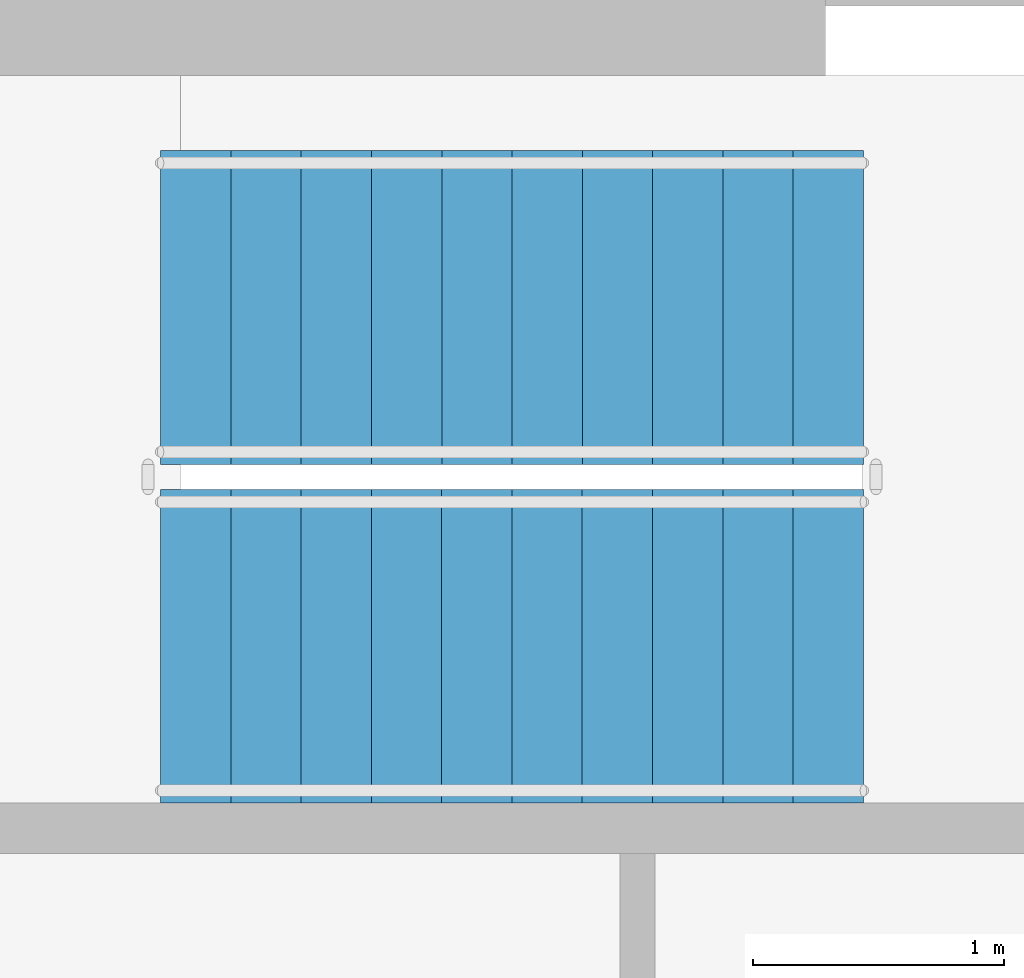
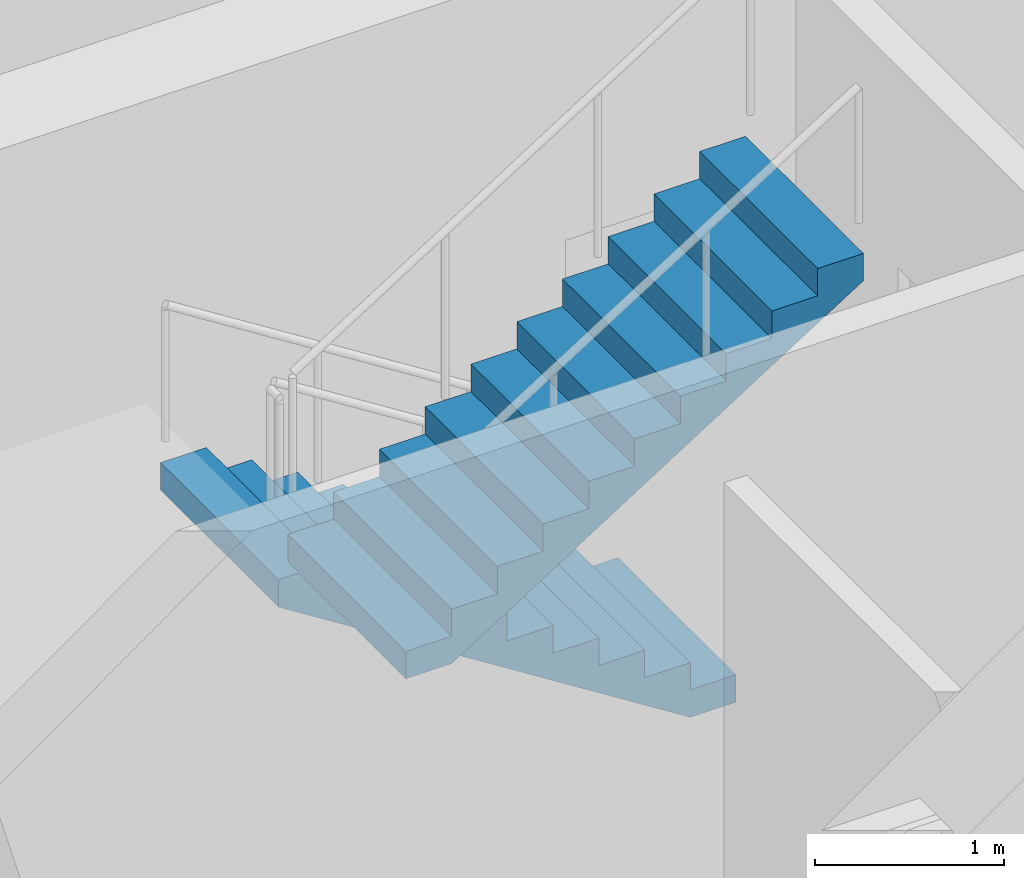
# One storey, part 12 of 14: 2 stair flights, 1 element without a shape of its own.
"""IFC4 building model written with IfcOpenShell, lengths in metres."""

from ifc_helpers import new_model, si_unit, direction, frame, origin, place, context, subcontext, project, spatial, line, indexed_curve, outline, extrude, material, type_object, element, aggregate, save


model = new_model("IFC4")

# Units and contexts
model_context = context("Model", 3, precision=1e-05, world=origin(), true_north=direction((0.0, 1.0)))
body_context = subcontext(model_context, "Body", "Model", "MODEL_VIEW")
ifc_project = project(units=[si_unit("LENGTHUNIT", "METRE"), si_unit("AREAUNIT", "SQUARE_METRE"), si_unit("VOLUMEUNIT", "CUBIC_METRE"), si_unit("PLANEANGLEUNIT", "RADIAN"), si_unit("MASSUNIT", "GRAM", prefix="KILO")], contexts=[model_context])

# Site, building, storey
site_placement = place(None, origin())
site = spatial("IfcSite", under=ifc_project, at=site_placement, CompositionType="ELEMENT")
building_placement = place(site_placement, origin())
building = spatial("IfcBuilding", under=site, at=building_placement, Name="Spindrift Exchange Tower", CompositionType="ELEMENT")
storey_placement = place(building_placement, frame((0.0, 0.0, 226.699951171875)))
storey = spatial("IfcBuildingStorey", under=building, at=storey_placement, Name="L55", CompositionType="ELEMENT", Elevation=226.699951171875)

# Stair, stair flights
ifc_material = material(Name="Concrete 50 MPa", Category="concrete")
stair_type = type_object("IfcStairType", Name="ST-1250-R177", PredefinedType="HALF_TURN_STAIR", material=ifc_material)
stair_placement = place(storey_placement, origin())
stair = element("IfcStair", 1, at=stair_placement, inside=storey, type_object=stair_type, Name="L55 Exit stair ST1", PredefinedType="HALF_TURN_STAIR")
stair_flight_type = type_object("IfcStairFlightType", Name="STF-1250-R177", PredefinedType="STRAIGHT", material=ifc_material)
stair_flight_1_placement = place(storey_placement, frame((49.050048828125, 54.47509765625, 0.0), z_axis=(0.0, 0.0, 1.0), x_axis=(-1.0, 0.0, 0.0)))
stair_flight_1 = element("IfcStairFlight", 2, at=stair_flight_1_placement, type_object=stair_flight_type, Name="ST1 flight 1", NumberOfRisers=11, NumberOfTreads=10, PredefinedType="STRAIGHT", RiserHeight=0.177272727, TreadLength=0.28, context=body_context, shape_type="SweptSolid", body=[
    extrude(outline(indexed_curve([(0.0, 0.0), (0.0, 0.177734375), (0.2802734375, 0.177734375), (0.2802734375, 0.3544921875), (0.5595703125, 0.3544921875), (0.5595703125, 0.5322265625), (0.83984375, 0.5322265625), (0.83984375, 0.708984375), (1.1201171875, 0.708984375), (1.1201171875, 0.88671875), (1.400390625, 0.88671875), (1.400390625, 1.0634765625), (1.6796875, 1.0634765625), (1.6796875, 1.2412109375), (1.9599609375, 1.2412109375), (1.9599609375, 1.41796875), (2.240234375, 1.41796875), (2.240234375, 1.595703125), (2.51953125, 1.595703125), (2.51953125, 1.7724609375), (2.7998046875, 1.7724609375), (2.7998046875, 1.9501953125), (2.7998046875, 1.595703125), (0.2802734375, 0.0)], segments=[line(1, 2, 3, 4, 5, 6, 7, 8, 9, 10, 11, 12, 13, 14, 15, 16, 17, 18, 19, 20, 21, 22, 23, 24, 1)], self_intersect=False)), frame((0.0, 0.625, 0.0), z_axis=(0.0, -1.0, 0.0), x_axis=(1.0, 0.0, 0.0)), (0.0, 0.0, 1.0), 1.25),
])
stair_flight_2_placement = place(storey_placement, frame((46.25, 53.125, 1.949951171875), z_axis=(0.0, 0.0, 1.0), x_axis=(1.0, 0.0, 0.0)))
stair_flight_2 = element("IfcStairFlight", 3, at=stair_flight_2_placement, type_object=stair_flight_type, Name="ST1 flight 2", NumberOfRisers=11, NumberOfTreads=10, PredefinedType="STRAIGHT", RiserHeight=0.177272727, TreadLength=0.28, context=body_context, shape_type="SweptSolid", body=[
    extrude(outline(indexed_curve([(0.0, 0.0), (0.0, 0.177734375), (0.2802734375, 0.177734375), (0.2802734375, 0.3544921875), (0.5595703125, 0.3544921875), (0.5595703125, 0.5322265625), (0.83984375, 0.5322265625), (0.83984375, 0.708984375), (1.1201171875, 0.708984375), (1.1201171875, 0.88671875), (1.400390625, 0.88671875), (1.400390625, 1.0634765625), (1.6796875, 1.0634765625), (1.6796875, 1.2412109375), (1.9599609375, 1.2412109375), (1.9599609375, 1.41796875), (2.240234375, 1.41796875), (2.240234375, 1.595703125), (2.51953125, 1.595703125), (2.51953125, 1.7724609375), (2.7998046875, 1.7724609375), (2.7998046875, 1.9501953125), (2.7998046875, 1.595703125), (0.2802734375, 0.0)], segments=[line(1, 2, 3, 4, 5, 6, 7, 8, 9, 10, 11, 12, 13, 14, 15, 16, 17, 18, 19, 20, 21, 22, 23, 24, 1)], self_intersect=False)), frame((0.0, 0.625, 0.0), z_axis=(0.0, -1.0, 0.0), x_axis=(1.0, 0.0, 0.0)), (0.0, 0.0, 1.0), 1.25),
])
aggregate(stair, [stair_flight_1, stair_flight_2])

save(model, "model.ifc")
